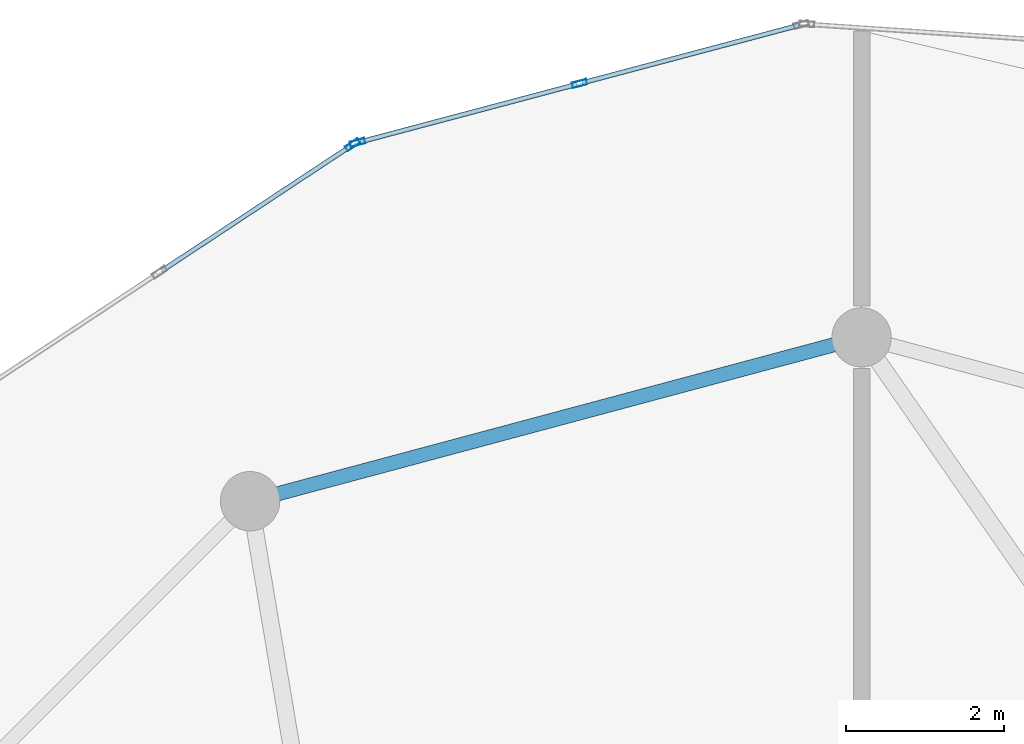
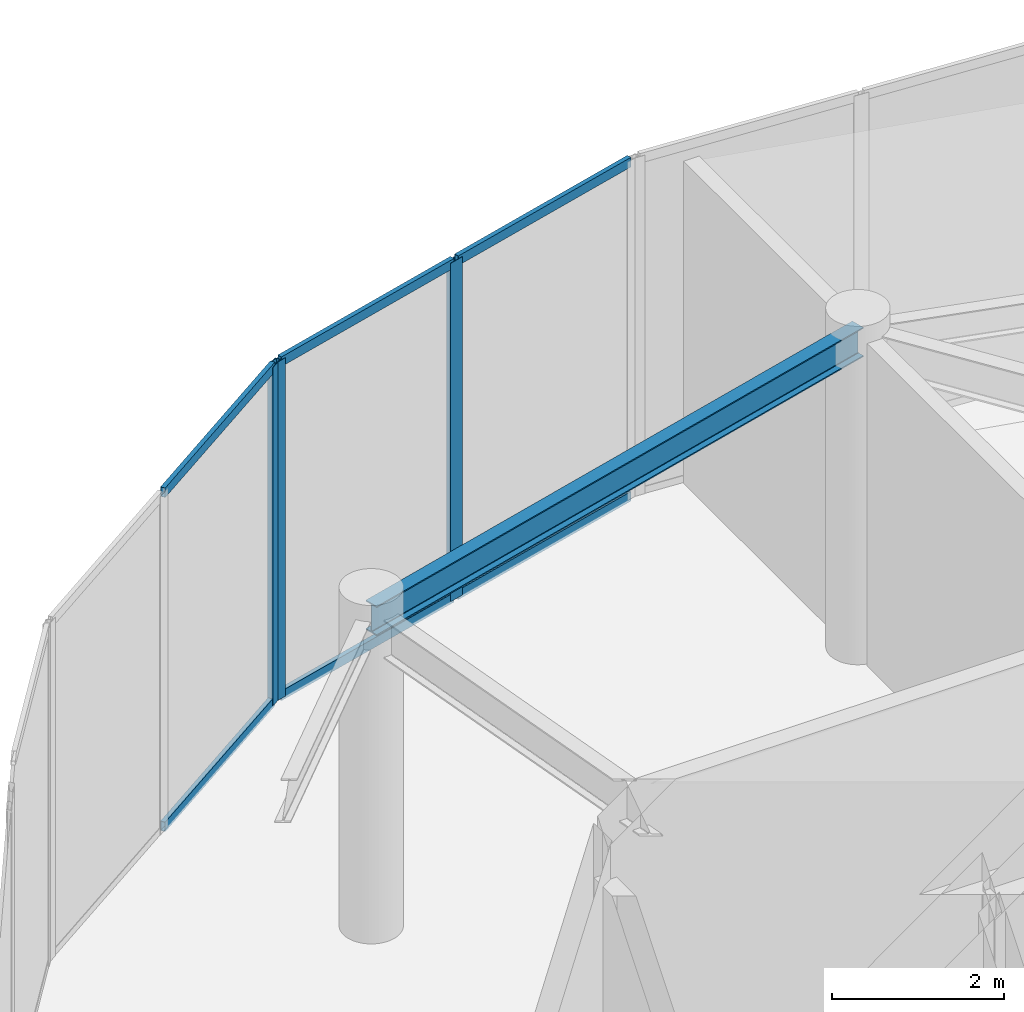
# One storey, part 12 of 21: 9 members, 1 beam, 2 elements without a shape of their own.
"""IFC4 building model written with IfcOpenShell, lengths in metres."""

from ifc_helpers import new_model, si_unit, direction, frame, origin, origin_2d, place, context, subcontext, project, spatial, hollow_rectangle, i_section, extrude, source, transform, mapped, material, layer, layer_set, material_profile, profile_set, type_object, element, aggregate, save


model = new_model("IFC4")

# Units and contexts
model_context = context("Model", 3, precision=1e-05, world=origin(), true_north=direction((0.0, 1.0)))
body_context = subcontext(model_context, "Body", "Model", "MODEL_VIEW")
ifc_project = project(units=[si_unit("LENGTHUNIT", "METRE"), si_unit("AREAUNIT", "SQUARE_METRE"), si_unit("VOLUMEUNIT", "CUBIC_METRE"), si_unit("PLANEANGLEUNIT", "RADIAN"), si_unit("MASSUNIT", "GRAM", prefix="KILO")], contexts=[model_context])

# Site, building, storey
site_placement = place(None, origin())
site = spatial("IfcSite", under=ifc_project, at=site_placement, CompositionType="ELEMENT")
building_placement = place(site_placement, origin())
building = spatial("IfcBuilding", under=site, at=building_placement, Name="Solvirekh Grand Hotel", CompositionType="ELEMENT")
storey_placement = place(building_placement, frame((0.0, 0.0, 262.0)))
storey = spatial("IfcBuildingStorey", under=building, at=storey_placement, Name="L68", CompositionType="ELEMENT", Elevation=262.0)

# Beam
ifc_material_1 = material(Name="Steel S355", Category="steel")
ifc_material_profile_1 = material_profile(ifc_material_1, i_section(OverallWidth=0.180908203125, OverallDepth=0.4169921875, WebThickness=0.010009765625, FlangeThickness=0.01611328125, FilletRadius=0.011962890625, at=origin_2d()), Name="W410X85")
ifc_profile_set_1 = profile_set([ifc_material_profile_1], Name="Steel S355")
beam_type = type_object("IfcBeamType", Name="Spandrel_Ring_W410", PredefinedType="SPANDREL", material=ifc_profile_set_1)
beam_placement = place(storey_placement, frame((0.0, 15.449951171875, 4.361083984375), z_axis=(-0.965921616143, -0.258834757072, 0.0), x_axis=(0.258834757072, -0.965921616143, 0.0)))
element("IfcBeam", 1, at=beam_placement, inside=storey, type_object=beam_type, Name="L68 perimeter spandrel beam 4", PredefinedType="SPANDREL", context=body_context, shape_type="SweptSolid", body=[
    extrude(i_section(OverallWidth=0.180908203125, OverallDepth=0.4169921875, WebThickness=0.010009765625, FlangeThickness=0.01611328125, FilletRadius=0.011962890625, at=origin_2d()), origin(), (0.0, 0.0, 1.0), 7.99755859375),
])

# Curtain wall, members
ifc_material_2 = material(Name="Anodized Bronze Aluminium 6063-T6", Category="aluminium")
ifc_layer = layer(ifc_material_2, 0.18994140625)
ifc_layer_set = layer_set([ifc_layer], Name="Anodized Bronze Aluminium 6063-T6")
curtain_wall_type = type_object("IfcCurtainWallType", Name="CW_Sys5_SkyLobbyPanoramaCW", PredefinedType="NOTDEFINED", material=ifc_layer_set)
curtain_wall_1_placement = place(storey_placement, origin())
curtain_wall_1 = element("IfcCurtainWall", 2, at=curtain_wall_1_placement, inside=storey, type_object=curtain_wall_type, Name="L68 unitised bronze-glass curtain wall CW-L68-C11", PredefinedType="NOTDEFINED")
ifc_material_profile_2 = material_profile(ifc_material_2, hollow_rectangle(XDim=0.070068359375, YDim=0.18994140625, WallThickness=0.0048828125, at=origin_2d()), Name="ALU RHS 190X70X5")
ifc_profile_set_2 = profile_set([ifc_material_profile_2], Name="Anodized Bronze Aluminium 6063-T6")
member_type_1 = type_object("IfcMemberType", Name="CWMullion_Sys5", PredefinedType="MULLION", material=ifc_profile_set_2)
shared_shape_1 = source(origin(), body_context, "Body", "SweptSolid", [
    extrude(hollow_rectangle(XDim=0.070068359375, YDim=0.18994140625, WallThickness=0.0048828125, at=origin_2d()), origin(), (0.0, 0.0, 1.0), 4.800048828125),
])
member_1_placement = place(storey_placement, frame((-3.5634765625, 18.656005859375, 0.0), z_axis=(0.0, 0.0, 1.0), x_axis=(0.256814577337, -0.966460693907, 0.0)))
member_1 = element("IfcMember", 3, at=member_1_placement, type_object=member_type_1, Name="U05 mullion 2", PredefinedType="MULLION", context=body_context, shape_type="MappedRepresentation", body=[
    mapped(shared_shape_1, transform((0.0, 0.0, 0.0), x_axis=(1.0, 0.0, 0.0), y_axis=(0.0, 1.0, 0.0), z_axis=(0.0, 0.0, 1.0), scale=1.0)),
])
member_2_placement = place(storey_placement, frame((-6.3671875, 17.910888671875, 0.0), z_axis=(0.0, 0.0, 1.0), x_axis=(0.256814577337, -0.966460693907, 0.0)))
member_2 = element("IfcMember", 4, at=member_2_placement, type_object=member_type_1, Name="U05 mullion 3", PredefinedType="MULLION", context=body_context, shape_type="MappedRepresentation", body=[
    mapped(shared_shape_1, transform((0.0, 0.0, 0.0), x_axis=(1.0, 0.0, 0.0), y_axis=(0.0, 1.0, 0.0), z_axis=(0.0, 0.0, 1.0), scale=1.0)),
])

curtain_wall_2_placement = place(storey_placement, origin())
curtain_wall_2 = element("IfcCurtainWall", 5, at=curtain_wall_2_placement, inside=storey, type_object=curtain_wall_type, Name="L68 unitised bronze-glass curtain wall CW-L68-C12", PredefinedType="NOTDEFINED")
member_3_placement = place(storey_placement, frame((-6.43017578125, 17.8828125, 0.0), z_axis=(0.0, 0.0, 1.0), x_axis=(0.550988231285, -0.834513013071, 0.0)))
member_3 = element("IfcMember", 6, at=member_3_placement, type_object=member_type_1, Name="U05 mullion 1", PredefinedType="MULLION", context=body_context, shape_type="MappedRepresentation", body=[
    mapped(shared_shape_1, transform((0.0, 0.0, 0.0), x_axis=(1.0, 0.0, 0.0), y_axis=(0.0, 1.0, 0.0), z_axis=(0.0, 0.0, 1.0), scale=1.0)),
])
ifc_material_profile_3 = material_profile(ifc_material_2, hollow_rectangle(XDim=0.06005859375, YDim=0.135009765625, WallThickness=0.00390625, at=origin_2d()), Name="ALU RHS 135X60X4")
ifc_profile_set_3 = profile_set([ifc_material_profile_3], Name="Anodized Bronze Aluminium 6063-T6")
member_type_2 = type_object("IfcMemberType", Name="CWTransom_Sys5", PredefinedType="USERDEFINED", material=ifc_profile_set_3)
shared_shape_2 = source(origin(), body_context, "Body", "SweptSolid", [
    extrude(hollow_rectangle(XDim=0.06005859375, YDim=0.135009765625, WallThickness=0.00390625, at=origin_2d()), origin(), (0.0, 0.0, 1.0), 2.8525390625),
])
member_4_placement = place(storey_placement, frame((-6.45947265625, 17.863525390625, 0.030029296875), z_axis=(-0.834491342027, -0.551021052304, 0.0), x_axis=(0.551021052304, -0.834491342027, 0.0)))
member_4 = element("IfcMember", 7, at=member_4_placement, type_object=member_type_2, Name="U05 transom 1.1", ObjectType="TRANSOM", PredefinedType="USERDEFINED", context=body_context, shape_type="MappedRepresentation", body=[
    mapped(shared_shape_2, transform((0.0, 0.0, 0.0), x_axis=(1.0, 0.0, 0.0), y_axis=(0.0, 1.0, 0.0), z_axis=(0.0, 0.0, 1.0), scale=1.0)),
])
member_5_placement = place(storey_placement, frame((-6.45947265625, 17.863525390625, 4.77001953125), z_axis=(-0.834491342027, -0.551021052304, 0.0), x_axis=(0.551021052304, -0.834491342027, 0.0)))
member_5 = element("IfcMember", 8, at=member_5_placement, type_object=member_type_2, Name="U05 transom 1.2", ObjectType="TRANSOM", PredefinedType="USERDEFINED", context=body_context, shape_type="MappedRepresentation", body=[
    mapped(shared_shape_2, transform((0.0, 0.0, 0.0), x_axis=(1.0, 0.0, 0.0), y_axis=(0.0, 1.0, 0.0), z_axis=(0.0, 0.0, 1.0), scale=1.0)),
])
aggregate(curtain_wall_2, [member_3, member_4, member_5])

# Member
shared_shape_3 = source(origin(), body_context, "Body", "SweptSolid", [
    extrude(hollow_rectangle(XDim=0.06005859375, YDim=0.135009765625, WallThickness=0.00390625, at=origin_2d()), origin(), (0.0, 0.0, 1.0), 2.8310546875),
])
member_6_placement = place(storey_placement, frame((-0.793701171875, 19.39208984375, 0.030029296875), z_axis=(-0.966460716536, -0.256814492178, 0.0), x_axis=(0.256814492178, -0.966460716536, 0.0)))
member_6 = element("IfcMember", 9, at=member_6_placement, type_object=member_type_2, Name="U05 transom 1.1", ObjectType="TRANSOM", PredefinedType="USERDEFINED", context=body_context, shape_type="MappedRepresentation", body=[
    mapped(shared_shape_3, transform((0.0, 0.0, 0.0), x_axis=(1.0, 0.0, 0.0), y_axis=(0.0, 1.0, 0.0), z_axis=(0.0, 0.0, 1.0), scale=1.0)),
])

member_7_placement = place(storey_placement, frame((-0.793701171875, 19.39208984375, 4.77001953125), z_axis=(-0.966460716536, -0.256814492178, 0.0), x_axis=(0.256814492178, -0.966460716536, 0.0)))
member_7 = element("IfcMember", 10, at=member_7_placement, type_object=member_type_2, Name="U05 transom 1.2", ObjectType="TRANSOM", PredefinedType="USERDEFINED", context=body_context, shape_type="MappedRepresentation", body=[
    mapped(shared_shape_3, transform((0.0, 0.0, 0.0), x_axis=(1.0, 0.0, 0.0), y_axis=(0.0, 1.0, 0.0), z_axis=(0.0, 0.0, 1.0), scale=1.0)),
])

shared_shape_4 = source(origin(), body_context, "Body", "SweptSolid", [
    extrude(hollow_rectangle(XDim=0.06005859375, YDim=0.135009765625, WallThickness=0.00390625, at=origin_2d()), origin(), (0.0, 0.0, 1.0), 2.830810546875),
])
member_8_placement = place(storey_placement, frame((-3.597412109375, 18.64697265625, 0.030029296875), z_axis=(-0.966455028161, -0.256835898078, 0.0), x_axis=(0.256835898078, -0.966455028161, 0.0)))
member_8 = element("IfcMember", 11, at=member_8_placement, type_object=member_type_2, Name="U05 transom 2.1", ObjectType="TRANSOM", PredefinedType="USERDEFINED", context=body_context, shape_type="MappedRepresentation", body=[
    mapped(shared_shape_4, transform((0.0, 0.0, 0.0), x_axis=(1.0, 0.0, 0.0), y_axis=(0.0, 1.0, 0.0), z_axis=(0.0, 0.0, 1.0), scale=1.0)),
])

member_9_placement = place(storey_placement, frame((-3.597412109375, 18.64697265625, 4.77001953125), z_axis=(-0.966455028161, -0.256835898078, 0.0), x_axis=(0.256835898078, -0.966455028161, 0.0)))
member_9 = element("IfcMember", 12, at=member_9_placement, type_object=member_type_2, Name="U05 transom 2.2", ObjectType="TRANSOM", PredefinedType="USERDEFINED", context=body_context, shape_type="MappedRepresentation", body=[
    mapped(shared_shape_4, transform((0.0, 0.0, 0.0), x_axis=(1.0, 0.0, 0.0), y_axis=(0.0, 1.0, 0.0), z_axis=(0.0, 0.0, 1.0), scale=1.0)),
])

aggregate(curtain_wall_1, [member_1, member_2, member_6, member_7, member_8, member_9])

save(model, "model.ifc")
